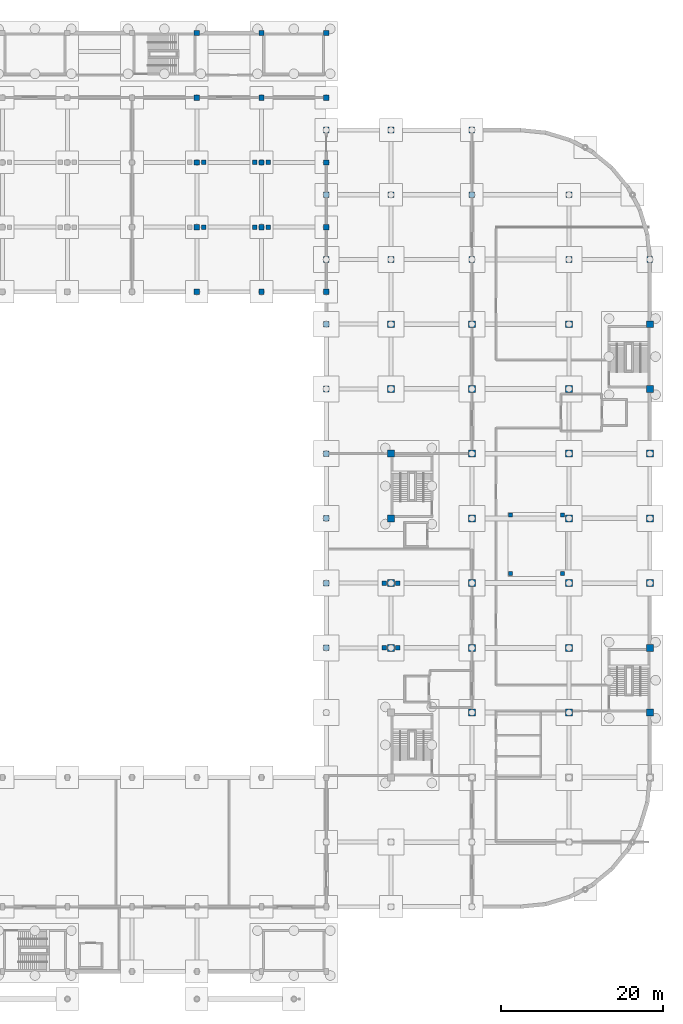
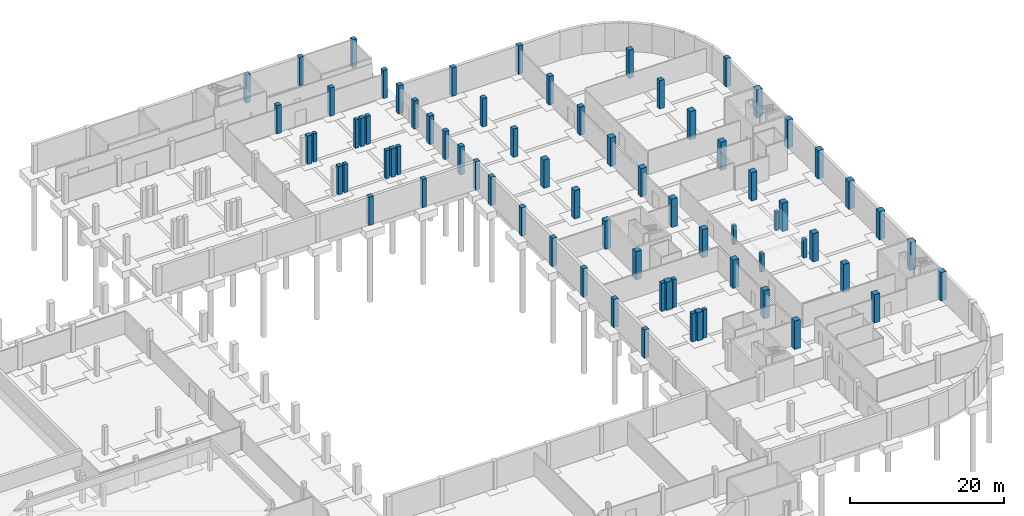
# One storey, part 15 of 29: 74 columns.
"""IFC4 building model written with IfcOpenShell, lengths in metres."""

import ifcopenshell
import ifcopenshell.guid

model = None  # the IFC model being written
_history = None  # IfcOwnerHistory: only IFC2X3 demands one
_inside = {}  # id of a spatial element -> (the spatial element, [elements in it])
_under = {}  # id of a project, library or spatial element -> (it, [spatial elements below it])
_declared = {}  # id of a project -> (the project, [libraries it declares])
_typed = {}  # id of a type object -> (the type object, [elements of that type])
_made_of = {}  # id of a material, layer set ... -> (it, [elements and type objects made of it])


def new_model(schema):
    """Start an empty IFC model of exactly this schema.

    Asked for "IFC4X3", IfcOpenShell would pick the latest addendum, in which some entities
    have other attributes; the version numbers below select the first issue.
    IFC2X3 requires an IfcOwnerHistory on every rooted entity: one is made here for all.
    """
    global model, _history
    if schema == "IFC4X3":
        model = ifcopenshell.file(schema_version=(4, 3, 0, 0))
    else:
        model = ifcopenshell.file(schema=schema)
    _inside.clear()
    _under.clear()
    _declared.clear()
    _typed.clear()
    _made_of.clear()
    _history = None
    if model.schema == "IFC2X3":
        org = make("IfcOrganization", Name="unknown")
        user = make(
            "IfcPersonAndOrganization",
            ThePerson=make("IfcPerson", FamilyName="unknown"),
            TheOrganization=org,
        )
        app = make(
            "IfcApplication",
            ApplicationDeveloper=org,
            Version="unknown",
            ApplicationFullName="unknown",
            ApplicationIdentifier="unknown",
        )
        _history = make(
            "IfcOwnerHistory",
            OwningUser=user,
            OwningApplication=app,
            ChangeAction="ADDED",
            CreationDate=0,
        )
    return model


def make(cls, **values):
    """One entity of the class cls with the attributes given. An attribute that is None is left unset."""
    return model.create_entity(
        cls, **{name: value for name, value in values.items() if value is not None}
    )


def rooted(cls, **values):
    """An entity with a GlobalId (a new one), such as an element, a storey or a relation."""
    return make(cls, GlobalId=ifcopenshell.guid.new(), OwnerHistory=_history, **values)


def si_unit(unit_type, name, prefix=None):
    """IfcSIUnit, for example si_unit("LENGTHUNIT", "METRE", prefix="MILLI")."""
    return make("IfcSIUnit", UnitType=unit_type, Prefix=prefix, Name=name)


def assignment(units):
    """IfcUnitAssignment: the units of a project."""
    return None if units is None else make("IfcUnitAssignment", Units=units)


def point(xyz):
    """IfcCartesianPoint."""
    return None if xyz is None else make("IfcCartesianPoint", Coordinates=xyz)


def direction(xyz):
    """IfcDirection."""
    return None if xyz is None else make("IfcDirection", DirectionRatios=xyz)


def frame(location, z_axis=None, x_axis=None):
    """IfcAxis2Placement3D, a coordinate frame: its origin and axes. An axis left out is left unset."""
    return make(
        "IfcAxis2Placement3D",
        Location=point(location),
        Axis=direction(z_axis),
        RefDirection=direction(x_axis),
    )


def frame_2d(location, x_axis=None):
    """IfcAxis2Placement2D, a coordinate frame in the plane: its origin and x axis."""
    return make(
        "IfcAxis2Placement2D", Location=point(location), RefDirection=direction(x_axis)
    )


def origin():
    """The frame at (0, 0, 0) with its axes left unset."""
    return frame((0.0, 0.0, 0.0))


def origin_2d():
    """The frame at (0, 0) in the plane with its x axis left unset."""
    return frame_2d((0.0, 0.0))


def place(relative_to, where):
    """IfcLocalPlacement: puts the frame where relative to a parent placement (None: the world)."""
    return make(
        "IfcLocalPlacement", PlacementRelTo=relative_to, RelativePlacement=where
    )


def context(
    kind, dimensions, precision=None, world=None, true_north=None, identifier=None
):
    """IfcGeometricRepresentationContext, for example the 3D "Model" context."""
    return make(
        "IfcGeometricRepresentationContext",
        ContextIdentifier=identifier,
        ContextType=kind,
        CoordinateSpaceDimension=dimensions,
        Precision=precision,
        WorldCoordinateSystem=world,
        TrueNorth=true_north,
    )


def subcontext(parent, identifier, kind, view, scale=None):
    """IfcGeometricRepresentationSubContext, for example "Body" below "Model"."""
    return make(
        "IfcGeometricRepresentationSubContext",
        ContextIdentifier=identifier,
        ContextType=kind,
        ParentContext=parent,
        TargetScale=scale,
        TargetView=view,
    )


def project(units=None, contexts=None):
    """IfcProject with its units and contexts."""
    return rooted(
        "IfcProject",
        Name="project",
        RepresentationContexts=contexts,
        UnitsInContext=assignment(units),
    )


def spatial(cls, under=None, at=None, **own):
    """A site, building, storey or space (cls), placed at a placement, below another one or the project."""
    s = rooted(cls, ObjectPlacement=at, **own)
    if under is not None:
        _under.setdefault(under.id(), (under, []))[1].append(s)
    return s


def profile(cls, at=None, kind="AREA", **sizes):
    """A parametric profile (cls). Its sizes go by their IFC names, for example OverallWidth=200.0."""
    return make(cls, ProfileType=kind, Position=at, **sizes)


def rectangle(**sizes):
    """IfcRectangleProfileDef."""
    return profile("IfcRectangleProfileDef", **sizes)


def extrude(swept, where, along, depth):
    """IfcExtrudedAreaSolid: the profile swept, set in the frame where, extruded along a direction by depth."""
    return make(
        "IfcExtrudedAreaSolid",
        SweptArea=swept,
        Position=where,
        ExtrudedDirection=direction(along),
        Depth=depth,
    )


def shape(context_of_items, identifier, shape_type, items):
    """IfcShapeRepresentation: the items that make up one representation, for example the "Body"."""
    return make(
        "IfcShapeRepresentation",
        ContextOfItems=context_of_items,
        RepresentationIdentifier=identifier,
        RepresentationType=shape_type,
        Items=items,
    )


def material(Name=None, Category=None):
    """IfcMaterial."""
    return make("IfcMaterial", Name=Name, Category=Category)


def material_profile(
    of_material, cross_section, Name=None, Category=None, Priority=None
):
    """IfcMaterialProfile: a cross section and its material."""
    return make(
        "IfcMaterialProfile",
        Name=Name,
        Material=of_material,
        Profile=cross_section,
        Priority=Priority,
        Category=Category,
    )


def profile_set(profiles, Name=None, composite=None):
    """IfcMaterialProfileSet."""
    return make(
        "IfcMaterialProfileSet",
        Name=Name,
        MaterialProfiles=profiles,
        CompositeProfile=composite,
    )


def made_of(thing, what):
    """Note that an element or type object is made of a material, layer set ...; save() writes the relation."""
    if what is not None:
        _made_of.setdefault(what.id(), (what, []))[1].append(thing)
    return thing


def type_object(cls, material=None, **own):
    """A type object (cls), such as IfcWallType, which elements share."""
    return made_of(rooted(cls, **own), material)


def element(
    cls,
    number,
    at=None,
    inside=None,
    cuts=None,
    type_object=None,
    material=None,
    context=None,
    identifier="Body",
    shape_type=None,
    held_by="IfcProductDefinitionShape",
    body=None,
    shapes=None,
    **own,
):
    """One element of the class cls, such as IfcWall. Its Tag is "e" and its number.

    at: its placement. inside: the storey or other place that contains it. cuts: it is an
    opening in that element (IfcRelVoidsElement). A single representation is given by context,
    identifier, shape_type and body (its items); several are given by shapes. held_by: the class
    of the entity that holds the representations. save() writes the other relations.
    """
    e = rooted(cls, Tag="e%d" % number, ObjectPlacement=at, **own)
    if body is not None:
        shapes = [shape(context, identifier, shape_type, body)]
    if shapes is not None:
        e.Representation = make(held_by, Representations=shapes)
    if inside is not None:
        _inside.setdefault(inside.id(), (inside, []))[1].append(e)
    if cuts is not None:
        rooted(
            "IfcRelVoidsElement", RelatingBuildingElement=cuts, RelatedOpeningElement=e
        )
    if type_object is not None:
        _typed.setdefault(type_object.id(), (type_object, []))[1].append(e)
    return made_of(e, material)


def aggregate(whole, parts):
    """IfcRelAggregates: a whole, such as a stair, and the parts it consists of."""
    return rooted("IfcRelAggregates", RelatingObject=whole, RelatedObjects=parts)


def save(model, path):
    """Write the relations noted so far, then the file.

    IfcRelAggregates (storeys below a building ...), IfcRelContainedInSpatialStructure (elements
    in a storey), IfcRelDefinesByType, IfcRelAssociatesMaterial and IfcRelDeclares: one each for
    every whole, place, type object, material and project.
    """
    for whole, parts in _under.values():
        aggregate(whole, parts)
    for where, things in _inside.values():
        rooted(
            "IfcRelContainedInSpatialStructure",
            RelatedElements=things,
            RelatingStructure=where,
        )
    for kind, things in _typed.values():
        rooted("IfcRelDefinesByType", RelatedObjects=things, RelatingType=kind)
    for what, things in _made_of.values():
        rooted("IfcRelAssociatesMaterial", RelatedObjects=things, RelatingMaterial=what)
    for by, libraries in _declared.values():
        rooted("IfcRelDeclares", RelatingContext=by, RelatedDefinitions=libraries)
    model.write(path)


model = new_model("IFC4")

# Units and contexts
model_context = context("Model", 3, precision=1e-05, world=origin(), true_north=direction((0.0, 1.0)))
body_context = subcontext(model_context, "Body", "Model", "MODEL_VIEW")
ifc_project = project(units=[si_unit("LENGTHUNIT", "METRE"), si_unit("AREAUNIT", "SQUARE_METRE"), si_unit("VOLUMEUNIT", "CUBIC_METRE"), si_unit("PLANEANGLEUNIT", "RADIAN"), si_unit("MASSUNIT", "GRAM", prefix="KILO")], contexts=[model_context])

# Site, building, storey
site_placement = place(None, origin())
site = spatial("IfcSite", under=ifc_project, at=site_placement, CompositionType="ELEMENT")
building_placement = place(site_placement, origin())
building = spatial("IfcBuilding", under=site, at=building_placement, Name="Drelvana Railside Aquatics Centre", CompositionType="ELEMENT")
storey_placement = place(building_placement, frame((0.0, 0.0, -4.800048828125)))
storey = spatial("IfcBuildingStorey", under=building, at=storey_placement, Name="B1", CompositionType="ELEMENT", Elevation=-4.800048828125)

# Columns
ifc_material = material(Name="Concrete C40/50", Category="concrete")
ifc_material_profile_1 = material_profile(ifc_material, rectangle(XDim=0.5, YDim=0.5, at=origin_2d()), Name="RC 500x500")
ifc_profile_set_1 = profile_set([ifc_material_profile_1], Name="Concrete C40/50")
column_type_1 = type_object("IfcColumnType", Name="STR-COL-RC-500x500", PredefinedType="COLUMN", material=ifc_profile_set_1)
for number, where, z_axis, x_axis, name in (
    (1, (166.800048828125, 49.199951171875, 0.0), (0.0, 0.0, 1.0), (1.0, 0.0, 0.0), "Hydrotherapy Pool support pier 1"),
    (2, (166.800048828125, 56.39990234375, 0.0), (0.0, 0.0, 1.0), (1.0, 0.0, 0.0), "Hydrotherapy Pool support pier 2"),
    (3, (173.199951171875, 49.199951171875, 0.0), (0.0, 0.0, 1.0), (1.0, 0.0, 0.0), "Hydrotherapy Pool support pier 3"),
    (4, (173.199951171875, 56.39990234375, 0.0), (0.0, 0.0, 1.0), (1.0, 0.0, 0.0), "Hydrotherapy Pool support pier 4"),
):
    element("IfcColumn", number, at=place(storey_placement, frame(where, z_axis=z_axis, x_axis=x_axis)), inside=storey, type_object=column_type_1, Name=name, PredefinedType="COLUMN", context=body_context, shape_type="SweptSolid", body=[
        extrude(rectangle(XDim=0.5, YDim=0.5, at=origin_2d()), origin(), (0.0, 0.0, 1.0), 2.949951171875),
    ])
ifc_material_profile_2 = material_profile(ifc_material, rectangle(XDim=0.550048828125, YDim=0.550048828125, at=origin_2d()), Name="RC 550x550")
ifc_profile_set_2 = profile_set([ifc_material_profile_2], Name="Concrete C40/50")
column_type_2 = type_object("IfcColumnType", Name="STR-COL-RC-550x550", PredefinedType="COLUMN", material=ifc_profile_set_2)
for number, where, z_axis, x_axis, name in (
    (5, (128.85009765625, 92.0, 0.0), (0.0, 0.0, 1.0), (1.0, 0.0, 0.0), "Core transfer pilaster C-03 #6"),
    (6, (135.14990234375, 92.0, 0.0), (0.0, 0.0, 1.0), (1.0, 0.0, 0.0), "Core transfer pilaster C-03 #7"),
    (7, (136.85009765625, 92.0, 0.0), (0.0, 0.0, 1.0), (1.0, 0.0, 0.0), "Core transfer pilaster C-03 #8"),
    (8, (128.85009765625, 100.0, 0.0), (0.0, 0.0, 1.0), (1.0, 0.0, 0.0), "Core transfer pilaster C-03 #14"),
    (9, (135.14990234375, 100.0, 0.0), (0.0, 0.0, 1.0), (1.0, 0.0, 0.0), "Core transfer pilaster C-03 #15"),
    (10, (136.85009765625, 100.0, 0.0), (0.0, 0.0, 1.0), (1.0, 0.0, 0.0), "Core transfer pilaster C-03 #16"),
    (11, (151.14990234375, 40.0, 0.0), (0.0, 0.0, 1.0), (1.0, 0.0, 0.0), "Core transfer pilaster C-03 #17"),
    (12, (152.85009765625, 40.0, 0.0), (0.0, 0.0, 1.0), (1.0, 0.0, 0.0), "Core transfer pilaster C-03 #18"),
    (13, (151.14990234375, 48.0, 0.0), (0.0, 0.0, 1.0), (1.0, 0.0, 0.0), "Core transfer pilaster C-03 #19"),
    (14, (152.85009765625, 48.0, 0.0), (0.0, 0.0, 1.0), (1.0, 0.0, 0.0), "Core transfer pilaster C-03 #20"),
):
    element("IfcColumn", number, at=place(storey_placement, frame(where, z_axis=z_axis, x_axis=x_axis)), inside=storey, type_object=column_type_2, Name=name, PredefinedType="COLUMN", context=body_context, shape_type="SweptSolid", body=[
        extrude(rectangle(XDim=0.550048828125, YDim=0.550048828125, at=origin_2d()), origin(), (0.0, 0.0, 1.0), 4.5),
    ])
ifc_material_profile_3 = material_profile(ifc_material, rectangle(XDim=0.64990234375, YDim=0.64990234375, at=origin_2d()), Name="RC 650x650")
ifc_profile_set_3 = profile_set([ifc_material_profile_3], Name="Concrete C40/50")
column_type_3 = type_object("IfcColumnType", Name="STR-COL-RC-650x650", PredefinedType="COLUMN", material=ifc_profile_set_3)
for number, where, z_axis, x_axis, name in (
    (15, (128.0, 84.0, 0.0), (0.0, 0.0, 1.0), (1.0, 0.0, 0.0), "Column C-05 (B1)"),
    (16, (128.0, 92.0, 0.0), (0.0, 0.0, 1.0), (1.0, 0.0, 0.0), "Column C-05 (B1)"),
    (17, (128.0, 100.0, 0.0), (0.0, 0.0, 1.0), (1.0, 0.0, 0.0), "Column C-05 (B1)"),
    (18, (128.0, 108.0, 0.0), (0.0, 0.0, 1.0), (1.0, 0.0, 0.0), "Column C-05 (B1)"),
    (19, (128.0, 116.0, 0.0), (0.0, 0.0, 1.0), (1.0, 0.0, 0.0), "Column C-05 (B1)"),
    (20, (136.0, 84.0, 0.0), (0.0, 0.0, 1.0), (1.0, 0.0, 0.0), "Column C-05 (B1)"),
    (21, (136.0, 92.0, 0.0), (0.0, 0.0, 1.0), (1.0, 0.0, 0.0), "Column C-05 (B1)"),
    (22, (136.0, 100.0, 0.0), (0.0, 0.0, 1.0), (1.0, 0.0, 0.0), "Column C-05 (B1)"),
    (23, (136.0, 108.0, 0.0), (0.0, 0.0, 1.0), (1.0, 0.0, 0.0), "Column C-05 (B1)"),
    (24, (136.0, 116.0, 0.0), (0.0, 0.0, 1.0), (1.0, 0.0, 0.0), "Column C-05 (B1)"),
    (25, (144.0, 84.0, 0.0), (0.0, 0.0, 1.0), (1.0, 0.0, 0.0), "Column C-05 (B1)"),
    (26, (144.0, 92.0, 0.0), (0.0, 0.0, 1.0), (1.0, 0.0, 0.0), "Column C-05 (B1)"),
    (27, (144.0, 100.0, 0.0), (0.0, 0.0, 1.0), (1.0, 0.0, 0.0), "Column C-05 (B1)"),
    (28, (144.0, 108.0, 0.0), (0.0, 0.0, 1.0), (1.0, 0.0, 0.0), "Column C-05 (B1)"),
    (29, (144.0, 116.0, 0.0), (0.0, 0.0, 1.0), (1.0, 0.0, 0.0), "Column C-05 (B1)"),
):
    element("IfcColumn", number, at=place(storey_placement, frame(where, z_axis=z_axis, x_axis=x_axis)), inside=storey, type_object=column_type_3, Name=name, PredefinedType="COLUMN", context=body_context, shape_type="SweptSolid", body=[
        extrude(rectangle(XDim=0.64990234375, YDim=0.64990234375, at=origin_2d()), origin(), (0.0, 0.0, 1.0), 4.5),
    ])
ifc_material_profile_4 = material_profile(ifc_material, rectangle(XDim=0.699951171875, YDim=0.699951171875, at=origin_2d()), Name="RC 700x700")
ifc_profile_set_4 = profile_set([ifc_material_profile_4], Name="Concrete C40/50")
column_type_4 = type_object("IfcColumnType", Name="STR-COL-RC-700x700", PredefinedType="COLUMN", material=ifc_profile_set_4)
for number, where, z_axis, x_axis, name in (
    (30, (144.0, 40.0, 0.0), (0.0, 0.0, 1.0), (1.0, 0.0, 0.0), "Column C-06 (B1)"),
    (31, (144.0, 48.0, 0.0), (0.0, 0.0, 1.0), (1.0, 0.0, 0.0), "Column C-06 (B1)"),
    (32, (144.0, 56.0, 0.0), (0.0, 0.0, 1.0), (1.0, 0.0, 0.0), "Column C-06 (B1)"),
    (33, (144.0, 64.0, 0.0), (0.0, 0.0, 1.0), (1.0, 0.0, 0.0), "Column C-06 (B1)"),
    (34, (144.0, 72.0, 0.0), (0.0, 0.0, 1.0), (1.0, 0.0, 0.0), "Column C-06 (B1)"),
    (35, (144.0, 80.0, 0.0), (0.0, 0.0, 1.0), (1.0, 0.0, 0.0), "Column C-06 (B1)"),
    (36, (144.0, 88.0, 0.0), (0.0, 0.0, 1.0), (1.0, 0.0, 0.0), "Column C-06 (B1)"),
    (37, (152.0, 88.0, 0.0), (0.0, 0.0, 1.0), (1.0, 0.0, 0.0), "Column C-06 (B1)"),
    (38, (162.0, 88.0, 0.0), (0.0, 0.0, 1.0), (1.0, 0.0, 0.0), "Column C-06 (B1)"),
    (39, (174.0, 88.0, 0.0), (0.0, 0.0, 1.0), (1.0, 0.0, 0.0), "Column C-06 (B1)"),
    (40, (184.0, 88.0, 0.0), (0.0, 0.0, 1.0), (1.0, 0.0, 0.0), "Column C-06 (B1)"),
    (41, (144.0, 96.0, 0.0), (0.0, 0.0, 1.0), (1.0, 0.0, 0.0), "Column C-06 (B1)"),
    (42, (152.0, 96.0, 0.0), (0.0, 0.0, 1.0), (1.0, 0.0, 0.0), "Column C-06 (B1)"),
    (43, (162.0, 96.0, 0.0), (0.0, 0.0, 1.0), (1.0, 0.0, 0.0), "Column C-06 (B1)"),
    (44, (174.0, 96.0, 0.0), (0.0, 0.0, 1.0), (1.0, 0.0, 0.0), "Column C-06 (B1)"),
    (45, (144.0, 104.0, 0.0), (0.0, 0.0, 1.0), (1.0, 0.0, 0.0), "Column C-06 (B1)"),
    (46, (152.0, 104.0, 0.0), (0.0, 0.0, 1.0), (1.0, 0.0, 0.0), "Column C-06 (B1)"),
    (47, (162.0, 104.0, 0.0), (0.0, 0.0, 1.0), (1.0, 0.0, 0.0), "Column C-06 (B1)"),
):
    element("IfcColumn", number, at=place(storey_placement, frame(where, z_axis=z_axis, x_axis=x_axis)), inside=storey, type_object=column_type_4, Name=name, PredefinedType="COLUMN", context=body_context, shape_type="SweptSolid", body=[
        extrude(rectangle(XDim=0.699951171875, YDim=0.699951171875, at=origin_2d()), origin(), (0.0, 0.0, 1.0), 4.5),
    ])
ifc_material_profile_5 = material_profile(ifc_material, rectangle(XDim=0.85009765625, YDim=0.85009765625, at=origin_2d()), Name="RC 850x850")
ifc_profile_set_5 = profile_set([ifc_material_profile_5], Name="Concrete C40/50")
column_type_5 = type_object("IfcColumnType", Name="STR-COL-RC-850x850", PredefinedType="COLUMN", material=ifc_profile_set_5)
for number, where, z_axis, x_axis, name in (
    (48, (162.0, 32.0, 0.0), (0.0, 0.0, 1.0), (1.0, 0.0, 0.0), "Column C-09 (B1)"),
    (49, (174.0, 32.0, 0.0), (0.0, 0.0, 1.0), (1.0, 0.0, 0.0), "Column C-09 (B1)"),
    (50, (184.0, 32.0, 0.0), (0.0, 0.0, 1.0), (1.0, 0.0, 0.0), "Column C-09 (B1)"),
    (51, (152.0, 40.0, 0.0), (0.0, 0.0, 1.0), (1.0, 0.0, 0.0), "Column C-09 (B1)"),
    (52, (162.0, 40.0, 0.0), (0.0, 0.0, 1.0), (1.0, 0.0, 0.0), "Column C-09 (B1)"),
    (53, (174.0, 40.0, 0.0), (0.0, 0.0, 1.0), (1.0, 0.0, 0.0), "Column C-09 (B1)"),
    (54, (184.0, 40.0, 0.0), (0.0, 0.0, 1.0), (1.0, 0.0, 0.0), "Column C-09 (B1)"),
    (55, (152.0, 48.0, 0.0), (0.0, 0.0, 1.0), (1.0, 0.0, 0.0), "Column C-09 (B1)"),
    (56, (162.0, 48.0, 0.0), (0.0, 0.0, 1.0), (1.0, 0.0, 0.0), "Column C-09 (B1)"),
    (57, (174.0, 48.0, 0.0), (0.0, 0.0, 1.0), (1.0, 0.0, 0.0), "Column C-09 (B1)"),
    (58, (184.0, 48.0, 0.0), (0.0, 0.0, 1.0), (1.0, 0.0, 0.0), "Column C-09 (B1)"),
    (59, (152.0, 56.0, 0.0), (0.0, 0.0, 1.0), (1.0, 0.0, 0.0), "Column C-09 (B1)"),
    (60, (162.0, 56.0, 0.0), (0.0, 0.0, 1.0), (1.0, 0.0, 0.0), "Column C-09 (B1)"),
    (61, (174.0, 56.0, 0.0), (0.0, 0.0, 1.0), (1.0, 0.0, 0.0), "Column C-09 (B1)"),
    (62, (184.0, 56.0, 0.0), (0.0, 0.0, 1.0), (1.0, 0.0, 0.0), "Column C-09 (B1)"),
    (63, (152.0, 64.0, 0.0), (0.0, 0.0, 1.0), (1.0, 0.0, 0.0), "Column C-09 (B1)"),
    (64, (162.0, 64.0, 0.0), (0.0, 0.0, 1.0), (1.0, 0.0, 0.0), "Column C-09 (B1)"),
    (65, (174.0, 64.0, 0.0), (0.0, 0.0, 1.0), (1.0, 0.0, 0.0), "Column C-09 (B1)"),
    (66, (184.0, 64.0, 0.0), (0.0, 0.0, 1.0), (1.0, 0.0, 0.0), "Column C-09 (B1)"),
    (67, (152.0, 72.0, 0.0), (0.0, 0.0, 1.0), (1.0, 0.0, 0.0), "Column C-09 (B1)"),
    (68, (162.0, 72.0, 0.0), (0.0, 0.0, 1.0), (1.0, 0.0, 0.0), "Column C-09 (B1)"),
    (69, (174.0, 72.0, 0.0), (0.0, 0.0, 1.0), (1.0, 0.0, 0.0), "Column C-09 (B1)"),
    (70, (184.0, 72.0, 0.0), (0.0, 0.0, 1.0), (1.0, 0.0, 0.0), "Column C-09 (B1)"),
    (71, (152.0, 80.0, 0.0), (0.0, 0.0, 1.0), (1.0, 0.0, 0.0), "Column C-09 (B1)"),
    (72, (162.0, 80.0, 0.0), (0.0, 0.0, 1.0), (1.0, 0.0, 0.0), "Column C-09 (B1)"),
    (73, (174.0, 80.0, 0.0), (0.0, 0.0, 1.0), (1.0, 0.0, 0.0), "Column C-09 (B1)"),
    (74, (184.0, 80.0, 0.0), (0.0, 0.0, 1.0), (1.0, 0.0, 0.0), "Column C-09 (B1)"),
):
    element("IfcColumn", number, at=place(storey_placement, frame(where, z_axis=z_axis, x_axis=x_axis)), inside=storey, type_object=column_type_5, Name=name, PredefinedType="COLUMN", context=body_context, shape_type="SweptSolid", body=[
        extrude(rectangle(XDim=0.85009765625, YDim=0.85009765625, at=origin_2d()), origin(), (0.0, 0.0, 1.0), 4.5),
    ])

save(model, "model.ifc")
